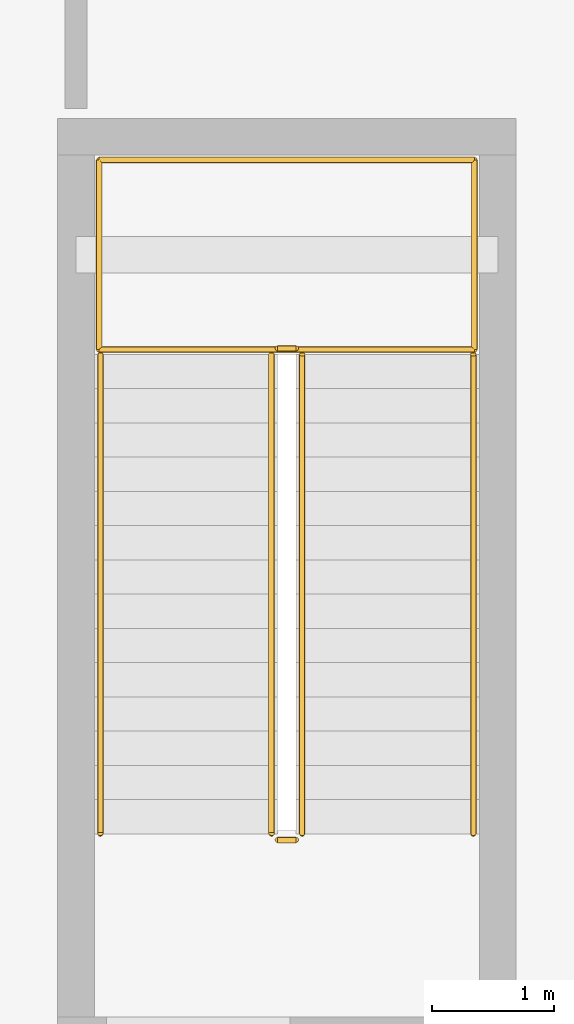
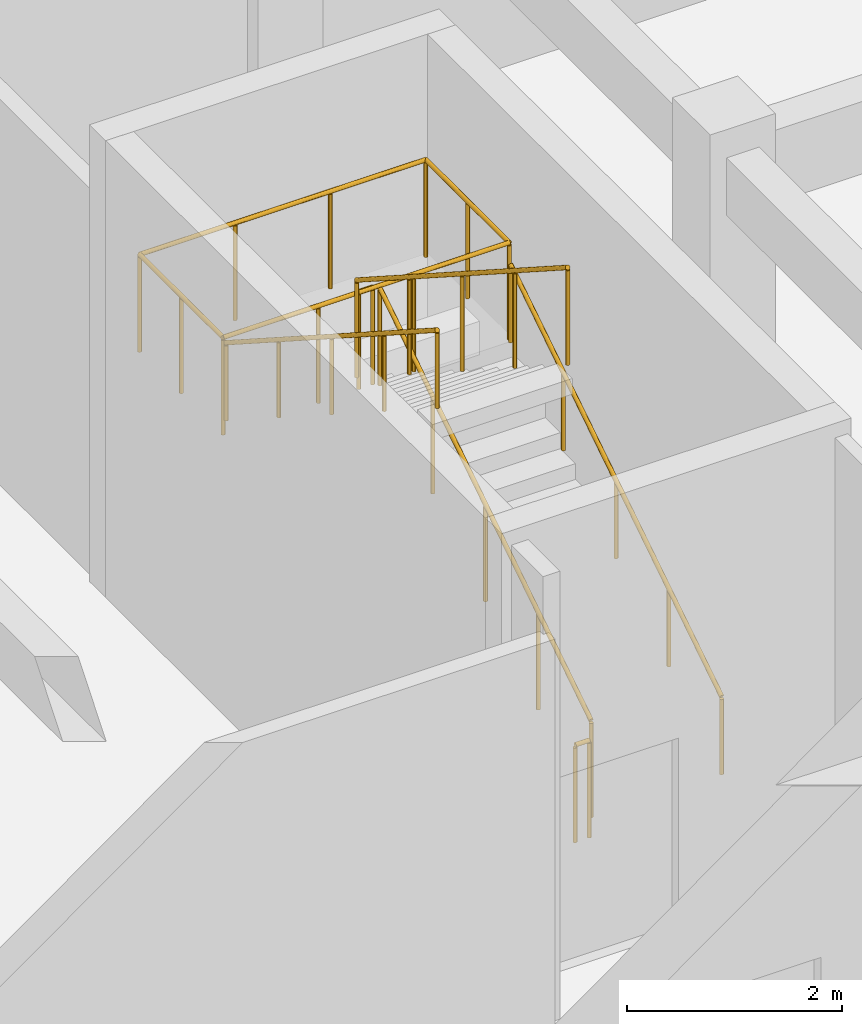
# One storey, part 67 of 70: 8 railings.
"""IFC4 building model written with IfcOpenShell, lengths in metres."""

import ifcopenshell
import ifcopenshell.guid

model = None  # the IFC model being written
_history = None  # IfcOwnerHistory: only IFC2X3 demands one
_inside = {}  # id of a spatial element -> (the spatial element, [elements in it])
_under = {}  # id of a project, library or spatial element -> (it, [spatial elements below it])
_declared = {}  # id of a project -> (the project, [libraries it declares])
_typed = {}  # id of a type object -> (the type object, [elements of that type])
_made_of = {}  # id of a material, layer set ... -> (it, [elements and type objects made of it])


def new_model(schema):
    """Start an empty IFC model of exactly this schema.

    Asked for "IFC4X3", IfcOpenShell would pick the latest addendum, in which some entities
    have other attributes; the version numbers below select the first issue.
    IFC2X3 requires an IfcOwnerHistory on every rooted entity: one is made here for all.
    """
    global model, _history
    if schema == "IFC4X3":
        model = ifcopenshell.file(schema_version=(4, 3, 0, 0))
    else:
        model = ifcopenshell.file(schema=schema)
    _inside.clear()
    _under.clear()
    _declared.clear()
    _typed.clear()
    _made_of.clear()
    _history = None
    if model.schema == "IFC2X3":
        org = make("IfcOrganization", Name="unknown")
        user = make(
            "IfcPersonAndOrganization",
            ThePerson=make("IfcPerson", FamilyName="unknown"),
            TheOrganization=org,
        )
        app = make(
            "IfcApplication",
            ApplicationDeveloper=org,
            Version="unknown",
            ApplicationFullName="unknown",
            ApplicationIdentifier="unknown",
        )
        _history = make(
            "IfcOwnerHistory",
            OwningUser=user,
            OwningApplication=app,
            ChangeAction="ADDED",
            CreationDate=0,
        )
    return model


def make(cls, **values):
    """One entity of the class cls with the attributes given. An attribute that is None is left unset."""
    return model.create_entity(
        cls, **{name: value for name, value in values.items() if value is not None}
    )


def rooted(cls, **values):
    """An entity with a GlobalId (a new one), such as an element, a storey or a relation."""
    return make(cls, GlobalId=ifcopenshell.guid.new(), OwnerHistory=_history, **values)


def si_unit(unit_type, name, prefix=None):
    """IfcSIUnit, for example si_unit("LENGTHUNIT", "METRE", prefix="MILLI")."""
    return make("IfcSIUnit", UnitType=unit_type, Prefix=prefix, Name=name)


def assignment(units):
    """IfcUnitAssignment: the units of a project."""
    return None if units is None else make("IfcUnitAssignment", Units=units)


def point(xyz):
    """IfcCartesianPoint."""
    return None if xyz is None else make("IfcCartesianPoint", Coordinates=xyz)


def direction(xyz):
    """IfcDirection."""
    return None if xyz is None else make("IfcDirection", DirectionRatios=xyz)


def frame(location, z_axis=None, x_axis=None):
    """IfcAxis2Placement3D, a coordinate frame: its origin and axes. An axis left out is left unset."""
    return make(
        "IfcAxis2Placement3D",
        Location=point(location),
        Axis=direction(z_axis),
        RefDirection=direction(x_axis),
    )


def frame_2d(location, x_axis=None):
    """IfcAxis2Placement2D, a coordinate frame in the plane: its origin and x axis."""
    return make(
        "IfcAxis2Placement2D", Location=point(location), RefDirection=direction(x_axis)
    )


def origin():
    """The frame at (0, 0, 0) with its axes left unset."""
    return frame((0.0, 0.0, 0.0))


def origin_2d():
    """The frame at (0, 0) in the plane with its x axis left unset."""
    return frame_2d((0.0, 0.0))


def place(relative_to, where):
    """IfcLocalPlacement: puts the frame where relative to a parent placement (None: the world)."""
    return make(
        "IfcLocalPlacement", PlacementRelTo=relative_to, RelativePlacement=where
    )


def context(
    kind, dimensions, precision=None, world=None, true_north=None, identifier=None
):
    """IfcGeometricRepresentationContext, for example the 3D "Model" context."""
    return make(
        "IfcGeometricRepresentationContext",
        ContextIdentifier=identifier,
        ContextType=kind,
        CoordinateSpaceDimension=dimensions,
        Precision=precision,
        WorldCoordinateSystem=world,
        TrueNorth=true_north,
    )


def subcontext(parent, identifier, kind, view, scale=None):
    """IfcGeometricRepresentationSubContext, for example "Body" below "Model"."""
    return make(
        "IfcGeometricRepresentationSubContext",
        ContextIdentifier=identifier,
        ContextType=kind,
        ParentContext=parent,
        TargetScale=scale,
        TargetView=view,
    )


def project(units=None, contexts=None):
    """IfcProject with its units and contexts."""
    return rooted(
        "IfcProject",
        Name="project",
        RepresentationContexts=contexts,
        UnitsInContext=assignment(units),
    )


def spatial(cls, under=None, at=None, **own):
    """A site, building, storey or space (cls), placed at a placement, below another one or the project."""
    s = rooted(cls, ObjectPlacement=at, **own)
    if under is not None:
        _under.setdefault(under.id(), (under, []))[1].append(s)
    return s


def profile(cls, at=None, kind="AREA", **sizes):
    """A parametric profile (cls). Its sizes go by their IFC names, for example OverallWidth=200.0."""
    return make(cls, ProfileType=kind, Position=at, **sizes)


def circle(**sizes):
    """IfcCircleProfileDef."""
    return profile("IfcCircleProfileDef", **sizes)


def extrude(swept, where, along, depth):
    """IfcExtrudedAreaSolid: the profile swept, set in the frame where, extruded along a direction by depth."""
    return make(
        "IfcExtrudedAreaSolid",
        SweptArea=swept,
        Position=where,
        ExtrudedDirection=direction(along),
        Depth=depth,
    )


def shape(context_of_items, identifier, shape_type, items):
    """IfcShapeRepresentation: the items that make up one representation, for example the "Body"."""
    return make(
        "IfcShapeRepresentation",
        ContextOfItems=context_of_items,
        RepresentationIdentifier=identifier,
        RepresentationType=shape_type,
        Items=items,
    )


def material(Name=None, Category=None):
    """IfcMaterial."""
    return make("IfcMaterial", Name=Name, Category=Category)


def made_of(thing, what):
    """Note that an element or type object is made of a material, layer set ...; save() writes the relation."""
    if what is not None:
        _made_of.setdefault(what.id(), (what, []))[1].append(thing)
    return thing


def type_object(cls, material=None, **own):
    """A type object (cls), such as IfcWallType, which elements share."""
    return made_of(rooted(cls, **own), material)


def element(
    cls,
    number,
    at=None,
    inside=None,
    cuts=None,
    type_object=None,
    material=None,
    context=None,
    identifier="Body",
    shape_type=None,
    held_by="IfcProductDefinitionShape",
    body=None,
    shapes=None,
    **own,
):
    """One element of the class cls, such as IfcWall. Its Tag is "e" and its number.

    at: its placement. inside: the storey or other place that contains it. cuts: it is an
    opening in that element (IfcRelVoidsElement). A single representation is given by context,
    identifier, shape_type and body (its items); several are given by shapes. held_by: the class
    of the entity that holds the representations. save() writes the other relations.
    """
    e = rooted(cls, Tag="e%d" % number, ObjectPlacement=at, **own)
    if body is not None:
        shapes = [shape(context, identifier, shape_type, body)]
    if shapes is not None:
        e.Representation = make(held_by, Representations=shapes)
    if inside is not None:
        _inside.setdefault(inside.id(), (inside, []))[1].append(e)
    if cuts is not None:
        rooted(
            "IfcRelVoidsElement", RelatingBuildingElement=cuts, RelatedOpeningElement=e
        )
    if type_object is not None:
        _typed.setdefault(type_object.id(), (type_object, []))[1].append(e)
    return made_of(e, material)


def aggregate(whole, parts):
    """IfcRelAggregates: a whole, such as a stair, and the parts it consists of."""
    return rooted("IfcRelAggregates", RelatingObject=whole, RelatedObjects=parts)


def save(model, path):
    """Write the relations noted so far, then the file.

    IfcRelAggregates (storeys below a building ...), IfcRelContainedInSpatialStructure (elements
    in a storey), IfcRelDefinesByType, IfcRelAssociatesMaterial and IfcRelDeclares: one each for
    every whole, place, type object, material and project.
    """
    for whole, parts in _under.values():
        aggregate(whole, parts)
    for where, things in _inside.values():
        rooted(
            "IfcRelContainedInSpatialStructure",
            RelatedElements=things,
            RelatingStructure=where,
        )
    for kind, things in _typed.values():
        rooted("IfcRelDefinesByType", RelatedObjects=things, RelatingType=kind)
    for what, things in _made_of.values():
        rooted("IfcRelAssociatesMaterial", RelatedObjects=things, RelatingMaterial=what)
    for by, libraries in _declared.values():
        rooted("IfcRelDeclares", RelatingContext=by, RelatedDefinitions=libraries)
    model.write(path)


model = new_model("IFC4")

# Units and contexts
model_context = context("Model", 3, precision=1e-05, world=origin(), true_north=direction((0.0, 1.0)))
body_context = subcontext(model_context, "Body", "Model", "MODEL_VIEW")
ifc_project = project(units=[si_unit("LENGTHUNIT", "METRE"), si_unit("AREAUNIT", "SQUARE_METRE"), si_unit("VOLUMEUNIT", "CUBIC_METRE"), si_unit("PLANEANGLEUNIT", "RADIAN"), si_unit("MASSUNIT", "GRAM", prefix="KILO")], contexts=[model_context])

# Site, building, storey
site_placement = place(None, origin())
site = spatial("IfcSite", under=ifc_project, at=site_placement, CompositionType="ELEMENT")
building_placement = place(site_placement, origin())
building = spatial("IfcBuilding", under=site, at=building_placement, Name="Miralva Faculty of Natural Sciences", CompositionType="ELEMENT")
storey_placement = place(building_placement, origin())
storey = spatial("IfcBuildingStorey", under=building, at=storey_placement, Name="L00", CompositionType="ELEMENT", Elevation=0.0)

# Railings
ifc_material = material(Name="Steel S355", Category="steel")
railing_type_1 = type_object("IfcRailingType", Name="RL-GR01", PredefinedType="GUARDRAIL", material=ifc_material)
railing_1_placement = place(storey_placement, frame((71.89990234375, 105.699951171875, 0.179931640625)))
element("IfcRailing", 1, at=railing_1_placement, inside=storey, type_object=railing_type_1, Name="Stair Core C5 safety guard L00-1", PredefinedType="GUARDRAIL", context=body_context, shape_type="SweptSolid", body=[
    extrude(circle(Radius=0.02392578125, at=origin_2d()), frame((0.0, 0.0, 1.09619140625), z_axis=(0.0, 0.841186985886, 0.540744352514), x_axis=(-1.0, 0.0, 0.0)), (0.0, 0.0, 1.0), 4.660400390625),
    extrude(circle(Radius=0.02099609375, at=origin_2d()), origin(), (0.0, 0.0, 1.0), 1.072021484375),
    extrude(circle(Radius=0.02099609375, at=origin_2d()), frame((0.0, 0.97998046875, 0.6298828125)), (0.0, 0.0, 1.0), 1.072021484375),
    extrude(circle(Radius=0.02099609375, at=origin_2d()), frame((0.0, 1.9599609375, 1.260009765625)), (0.0, 0.0, 1.0), 1.072021484375),
    extrude(circle(Radius=0.02099609375, at=origin_2d()), frame((0.0, 2.940185546875, 1.89013671875)), (0.0, 0.0, 1.0), 1.072021484375),
    extrude(circle(Radius=0.02099609375, at=origin_2d()), frame((0.0, 3.920166015625, 2.52001953125)), (0.0, 0.0, 1.0), 1.072021484375),
])
railing_2_placement = place(storey_placement, frame((71.85009765625, 109.669921875, 2.699951171875)))
element("IfcRailing", 2, at=railing_2_placement, inside=storey, type_object=railing_type_1, Name="Stair Core C5 safety guard L00-2", PredefinedType="GUARDRAIL", context=body_context, shape_type="SweptSolid", body=[
    extrude(circle(Radius=0.02392578125, at=origin_2d()), frame((0.0, 0.0, 1.09619140625), z_axis=(-1.0, 0.0, 0.0), x_axis=(0.0, -1.0, 0.0)), (0.0, 0.0, 1.0), 0.150146484375),
    extrude(circle(Radius=0.02099609375, at=origin_2d()), origin(), (0.0, 0.0, 1.0), 1.072021484375),
    extrude(circle(Radius=0.02099609375, at=origin_2d()), frame((-0.150146484375, 0.0, 0.0)), (0.0, 0.0, 1.0), 1.072021484375),
])
railing_3_placement = place(storey_placement, frame((71.64990234375, 109.6201171875, 2.8798828125)))
element("IfcRailing", 3, at=railing_3_placement, inside=storey, type_object=railing_type_1, Name="Stair Core C5 safety guard L00-3", PredefinedType="GUARDRAIL", context=body_context, shape_type="SweptSolid", body=[
    extrude(circle(Radius=0.02392578125, at=origin_2d()), frame((0.0, 0.0, 1.09619140625), z_axis=(0.0, -0.841186985886, 0.540744352514), x_axis=(1.0, 0.0, 0.0)), (0.0, 0.0, 1.0), 4.660400390625),
    extrude(circle(Radius=0.02099609375, at=origin_2d()), origin(), (0.0, 0.0, 1.0), 1.072021484375),
    extrude(circle(Radius=0.02099609375, at=origin_2d()), frame((0.0, -0.97998046875, 0.6298828125)), (0.0, 0.0, 1.0), 1.072021484375),
    extrude(circle(Radius=0.02099609375, at=origin_2d()), frame((0.0, -1.9599609375, 1.260009765625)), (0.0, 0.0, 1.0), 1.072021484375),
    extrude(circle(Radius=0.02099609375, at=origin_2d()), frame((0.0, -2.940185546875, 1.89013671875)), (0.0, 0.0, 1.0), 1.072021484375),
    extrude(circle(Radius=0.02099609375, at=origin_2d()), frame((0.0, -3.920166015625, 2.52001953125)), (0.0, 0.0, 1.0), 1.072021484375),
])
railing_4_placement = place(storey_placement, frame((71.85009765625, 105.64990234375, 0.0)))
element("IfcRailing", 4, at=railing_4_placement, inside=storey, type_object=railing_type_1, Name="Stair Core C5 safety guard L00-4", PredefinedType="GUARDRAIL", context=body_context, shape_type="SweptSolid", body=[
    extrude(circle(Radius=0.02392578125, at=origin_2d()), frame((0.0, 0.0, 1.09619140625), z_axis=(-1.0, 0.0, 0.0), x_axis=(0.0, -1.0, 0.0)), (0.0, 0.0, 1.0), 0.150146484375),
    extrude(circle(Radius=0.02099609375, at=origin_2d()), origin(), (0.0, 0.0, 1.0), 1.072021484375),
    extrude(circle(Radius=0.02099609375, at=origin_2d()), frame((-0.150146484375, 0.0, 0.0)), (0.0, 0.0, 1.0), 1.072021484375),
])
railing_5_placement = place(storey_placement, frame((70.239990234375, 109.659912109375, 2.699951171875)))
element("IfcRailing", 5, at=railing_5_placement, inside=storey, type_object=railing_type_1, Name="Stair Core C5 half-landing guard L00-1A", PredefinedType="GUARDRAIL", context=body_context, shape_type="SweptSolid", body=[
    extrude(circle(Radius=0.02392578125, at=origin_2d()), frame((0.0, 0.0, 1.09619140625), z_axis=(0.0, 1.0, 0.0), x_axis=(-1.0, 0.0, 0.0)), (0.0, 0.0, 1.0), 1.550048828125),
    extrude(circle(Radius=0.02392578125, at=origin_2d()), frame((0.0, 1.550048828125, 1.09619140625), z_axis=(1.0, 0.0, 0.0), x_axis=(0.0, 1.0, 0.0)), (0.0, 0.0, 1.0), 3.070068359375),
    extrude(circle(Radius=0.02099609375, at=origin_2d()), origin(), (0.0, 0.0, 1.0), 1.072021484375),
    extrude(circle(Radius=0.02099609375, at=origin_2d()), frame((0.0, 0.77490234375, 0.0)), (0.0, 0.0, 1.0), 1.072021484375),
    extrude(circle(Radius=0.02099609375, at=origin_2d()), frame((0.0, 1.550048828125, 0.0)), (0.0, 0.0, 1.0), 1.072021484375),
    extrude(circle(Radius=0.02099609375, at=origin_2d()), frame((1.0234375, 1.550048828125, 0.0)), (0.0, 0.0, 1.0), 1.072021484375),
    extrude(circle(Radius=0.02099609375, at=origin_2d()), frame((2.046630859375, 1.550048828125, 0.0)), (0.0, 0.0, 1.0), 1.072021484375),
    extrude(circle(Radius=0.02099609375, at=origin_2d()), frame((3.070068359375, 1.550048828125, 0.0)), (0.0, 0.0, 1.0), 1.072021484375),
])
railing_6_placement = place(storey_placement, frame((73.31005859375, 111.2099609375, 2.699951171875)))
element("IfcRailing", 6, at=railing_6_placement, inside=storey, type_object=railing_type_1, Name="Stair Core C5 half-landing guard L00-1B", PredefinedType="GUARDRAIL", context=body_context, shape_type="SweptSolid", body=[
    extrude(circle(Radius=0.02392578125, at=origin_2d()), frame((0.0, 0.0, 1.09619140625), z_axis=(0.0, -1.0, 0.0), x_axis=(1.0, 0.0, 0.0)), (0.0, 0.0, 1.0), 1.550048828125),
    extrude(circle(Radius=0.02392578125, at=origin_2d()), frame((0.0, -1.550048828125, 1.09619140625), z_axis=(-1.0, 0.0, 0.0), x_axis=(0.0, -1.0, 0.0)), (0.0, 0.0, 1.0), 3.070068359375),
    extrude(circle(Radius=0.02099609375, at=origin_2d()), origin(), (0.0, 0.0, 1.0), 1.072021484375),
    extrude(circle(Radius=0.02099609375, at=origin_2d()), frame((0.0, -0.77490234375, 0.0)), (0.0, 0.0, 1.0), 1.072021484375),
    extrude(circle(Radius=0.02099609375, at=origin_2d()), frame((0.0, -1.550048828125, 0.0)), (0.0, 0.0, 1.0), 1.072021484375),
    extrude(circle(Radius=0.02099609375, at=origin_2d()), frame((-1.0234375, -1.550048828125, 0.0)), (0.0, 0.0, 1.0), 1.072021484375),
    extrude(circle(Radius=0.02099609375, at=origin_2d()), frame((-2.046630859375, -1.550048828125, 0.0)), (0.0, 0.0, 1.0), 1.072021484375),
    extrude(circle(Radius=0.02099609375, at=origin_2d()), frame((-3.070068359375, -1.550048828125, 0.0)), (0.0, 0.0, 1.0), 1.072021484375),
])
railing_type_2 = type_object("IfcRailingType", Name="RL-HR01", PredefinedType="HANDRAIL", material=ifc_material)
railing_7_placement = place(storey_placement, frame((73.300048828125, 105.699951171875, 0.179931640625)))
element("IfcRailing", 7, at=railing_7_placement, inside=storey, type_object=railing_type_2, Name="Stair Core C5 handrail L00-1", PredefinedType="HANDRAIL", context=body_context, shape_type="SweptSolid", body=[
    extrude(circle(Radius=0.02392578125, at=origin_2d()), frame((0.0, 0.0, 0.8759765625), z_axis=(0.0, 0.841186985886, 0.540744352514), x_axis=(-1.0, 0.0, 0.0)), (0.0, 0.0, 1.0), 4.660400390625),
    extrude(circle(Radius=0.02099609375, at=origin_2d()), origin(), (0.0, 0.0, 1.0), 0.851806640625),
    extrude(circle(Radius=0.02099609375, at=origin_2d()), frame((0.0, 0.97998046875, 0.6298828125)), (0.0, 0.0, 1.0), 0.851806640625),
    extrude(circle(Radius=0.02099609375, at=origin_2d()), frame((0.0, 1.9599609375, 1.260009765625)), (0.0, 0.0, 1.0), 0.851806640625),
    extrude(circle(Radius=0.02099609375, at=origin_2d()), frame((0.0, 2.940185546875, 1.89013671875)), (0.0, 0.0, 1.0), 0.851806640625),
    extrude(circle(Radius=0.02099609375, at=origin_2d()), frame((0.0, 3.920166015625, 2.52001953125)), (0.0, 0.0, 1.0), 0.851806640625),
])
railing_8_placement = place(storey_placement, frame((70.25, 109.6201171875, 2.8798828125)))
element("IfcRailing", 8, at=railing_8_placement, inside=storey, type_object=railing_type_2, Name="Stair Core C5 handrail L00-2", PredefinedType="HANDRAIL", context=body_context, shape_type="SweptSolid", body=[
    extrude(circle(Radius=0.02392578125, at=origin_2d()), frame((0.0, 0.0, 0.8759765625), z_axis=(0.0, -0.841186985886, 0.540744352514), x_axis=(1.0, 0.0, 0.0)), (0.0, 0.0, 1.0), 4.660400390625),
    extrude(circle(Radius=0.02099609375, at=origin_2d()), origin(), (0.0, 0.0, 1.0), 0.851806640625),
    extrude(circle(Radius=0.02099609375, at=origin_2d()), frame((0.0, -0.97998046875, 0.6298828125)), (0.0, 0.0, 1.0), 0.851806640625),
    extrude(circle(Radius=0.02099609375, at=origin_2d()), frame((0.0, -1.9599609375, 1.260009765625)), (0.0, 0.0, 1.0), 0.851806640625),
    extrude(circle(Radius=0.02099609375, at=origin_2d()), frame((0.0, -2.940185546875, 1.89013671875)), (0.0, 0.0, 1.0), 0.851806640625),
    extrude(circle(Radius=0.02099609375, at=origin_2d()), frame((0.0, -3.920166015625, 2.52001953125)), (0.0, 0.0, 1.0), 0.851806640625),
])

save(model, "model.ifc")
